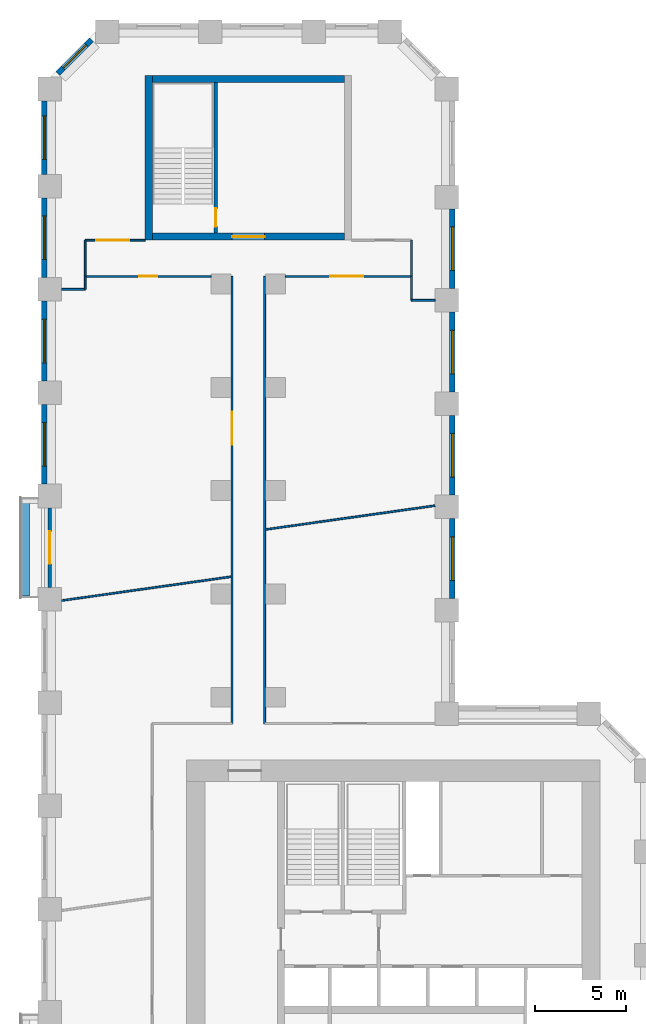
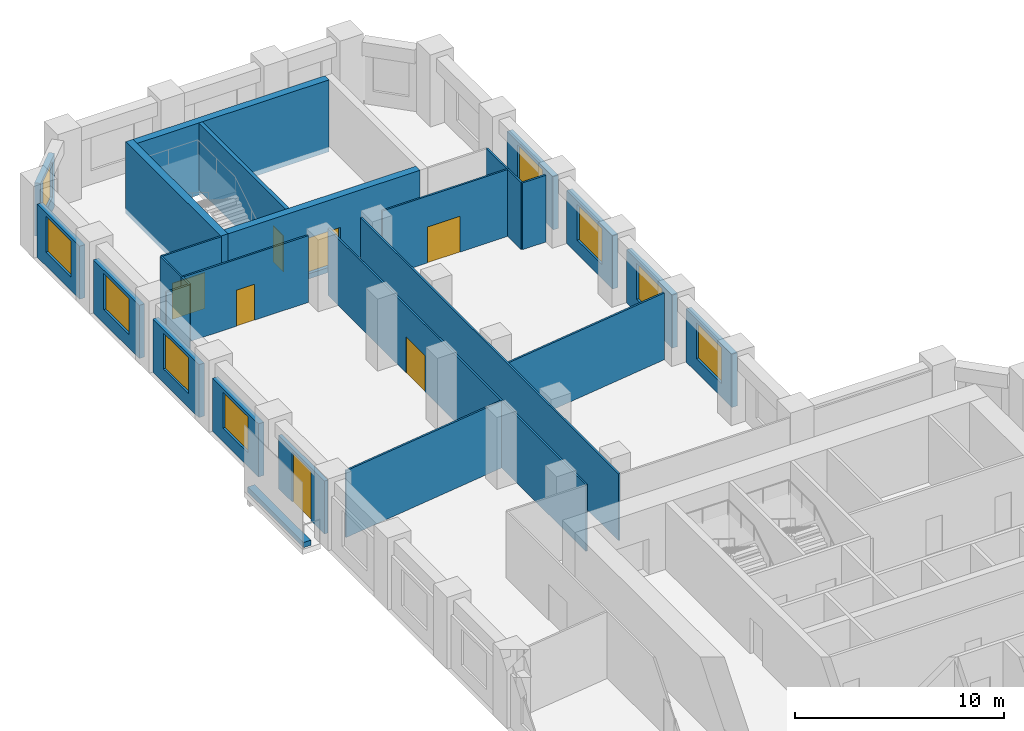
# One storey, part 8 of 11: 28 walls, 9 windows, 7 doors, 16 openings.
"""IFC4 building model written with IfcOpenShell, lengths in metres."""

from ifc_helpers import new_model, si_unit, direction, frame, frame_2d, origin, place, context, subcontext, project, spatial, rectangle, extrude, material, layer, layer_set, type_object, element, fill, save


model = new_model("IFC4")

# Units and contexts
model_context = context("Model", 3, precision=1e-05, world=origin(), true_north=direction((0.0, 1.0)))
body_context = subcontext(model_context, "Body", "Model", "MODEL_VIEW")
ifc_project = project(units=[si_unit("LENGTHUNIT", "METRE"), si_unit("AREAUNIT", "SQUARE_METRE"), si_unit("VOLUMEUNIT", "CUBIC_METRE"), si_unit("PLANEANGLEUNIT", "RADIAN"), si_unit("MASSUNIT", "GRAM", prefix="KILO")], contexts=[model_context])

# Site, building, storey
site_placement = place(None, origin())
site = spatial("IfcSite", under=ifc_project, at=site_placement, CompositionType="ELEMENT")
building_placement = place(site_placement, origin())
building = spatial("IfcBuilding", under=site, at=building_placement, Name="Meshkara Civic Tower", CompositionType="ELEMENT")
storey_placement = place(building_placement, frame((0.0, 0.0, 101.39990234375)))
storey = spatial("IfcBuildingStorey", under=building, at=storey_placement, Name="L22", CompositionType="ELEMENT", Elevation=101.39990234375)

# Wall, opening, door
ifc_material_1 = material(Name="Corridor wall 100")
ifc_layer_1 = layer(ifc_material_1, 0.10009765625)
ifc_layer_set_1 = layer_set([ifc_layer_1], Name="Corridor wall 100")
wall_type_1 = type_object("IfcWallType", Name="Corridor wall 100", PredefinedType="PARTITIONING", material=ifc_layer_set_1)
wall_1_placement = place(storey_placement, frame((2.39990234375, 63.570068359375, 0.0), z_axis=(0.0, 0.0, 1.0), x_axis=(1.0, 0.0, 0.0)))
wall_1 = element("IfcWall", 1, at=wall_1_placement, inside=storey, type_object=wall_type_1, Name="L22-W001", PredefinedType="PARTITIONING", context=body_context, shape_type="SweptSolid", body=[
    extrude(rectangle(XDim=6.9501953125, YDim=0.10009765625, at=frame_2d((3.47509765625, 0.0))), origin(), (0.0, 0.0, 1.0), 3.900146484375),
])
opening_1_placement = place(wall_1_placement, frame((2.97998046875, 0.0, 0.0)))
opening_1 = element("IfcOpeningElement", 2, at=opening_1_placement, cuts=wall_1, Name="Opening L22-D024", PredefinedType="OPENING", context=body_context, shape_type="SweptSolid", body=[
    extrude(rectangle(XDim=1.0, YDim=2.10009765625, at=frame_2d((0.5, 1.050048828125))), frame((0.0, 0.06005859375, 0.0), z_axis=(0.0, -1.0, 0.0), x_axis=(1.0, 0.0, 0.0)), (0.0, 0.0, 1.0), 0.1201171875),
])
ifc_material_2 = material(Name="Door 1000 x 2100")
door_type_1 = type_object("IfcDoorType", Name="Door 1000 x 2100", OperationType="SINGLE_SWING_LEFT", PredefinedType="DOOR", material=ifc_material_2)
door_1_placement = place(opening_1_placement, origin())
door_1 = element("IfcDoor", 3, at=door_1_placement, inside=storey, type_object=door_type_1, Name="L22-D024", OperationType="SINGLE_SWING_LEFT", OverallHeight=2.10009765625, OverallWidth=1.0, PredefinedType="DOOR", context=body_context, shape_type="SweptSolid", body=[
    extrude(rectangle(XDim=1.0, YDim=2.10009765625, at=frame_2d((0.5, 1.050048828125))), frame((0.0, 0.02490234375, 0.0), z_axis=(0.0, -1.0, 0.0), x_axis=(1.0, 0.0, 0.0)), (0.0, 0.0, 1.0), 0.050048828125),
])
fill(opening_1, door_1)

# Wall
wall_2_placement = place(storey_placement, frame((2.39990234375, 65.570068359375, 0.0), z_axis=(0.0, 0.0, 1.0), x_axis=(0.0, -1.0, 0.0)))
element("IfcWall", 4, at=wall_2_placement, inside=storey, type_object=wall_type_1, Name="L22-W002", PredefinedType="PARTITIONING", context=body_context, shape_type="SweptSolid", body=[
    extrude(rectangle(XDim=2.0, YDim=0.10009765625, at=frame_2d((1.0, 0.0))), origin(), (0.0, 0.0, 1.0), 3.900146484375),
])

# Wall, opening, door
wall_3_placement = place(storey_placement, frame((5.699951171875, 65.570068359375, 0.0), z_axis=(0.0, 0.0, 1.0), x_axis=(-1.0, 0.0, 0.0)))
wall_3 = element("IfcWall", 5, at=wall_3_placement, inside=storey, type_object=wall_type_1, Name="L22-W003", PredefinedType="PARTITIONING", context=body_context, shape_type="SweptSolid", body=[
    extrude(rectangle(XDim=3.300048828125, YDim=0.10009765625, at=frame_2d((1.64990234375, 0.0))), origin(), (0.0, 0.0, 1.0), 3.900146484375),
])
opening_2_placement = place(wall_3_placement, frame((0.8798828125, 0.0, 0.0)))
opening_2 = element("IfcOpeningElement", 6, at=opening_2_placement, cuts=wall_3, Name="Opening L22-D023", PredefinedType="OPENING", context=body_context, shape_type="SweptSolid", body=[
    extrude(rectangle(XDim=1.800048828125, YDim=2.10009765625, at=frame_2d((0.89990234375, 1.050048828125))), frame((0.0, 0.06005859375, 0.0), z_axis=(0.0, -1.0, 0.0), x_axis=(1.0, 0.0, 0.0)), (0.0, 0.0, 1.0), 0.1201171875),
])
ifc_material_3 = material(Name="Door pair 1800 x 2100")
door_type_2 = type_object("IfcDoorType", Name="Door pair 1800 x 2100", OperationType="SINGLE_SWING_LEFT", PredefinedType="DOOR", material=ifc_material_3)
door_2_placement = place(opening_2_placement, origin())
door_2 = element("IfcDoor", 7, at=door_2_placement, inside=storey, type_object=door_type_2, Name="L22-D023", OperationType="DOUBLE_DOOR_SINGLE_SWING", OverallHeight=2.10009765625, OverallWidth=1.800048828125, PredefinedType="DOOR", context=body_context, shape_type="SweptSolid", body=[
    extrude(rectangle(XDim=1.800048828125, YDim=2.10009765625, at=frame_2d((0.89990234375, 1.050048828125))), frame((0.0, 0.02490234375, 0.0), z_axis=(0.0, -1.0, 0.0), x_axis=(1.0, 0.0, 0.0)), (0.0, 0.0, 1.0), 0.050048828125),
])
fill(opening_2, door_2)

wall_4_placement = place(storey_placement, frame((10.5, 63.570068359375, 0.0), z_axis=(0.0, 0.0, 1.0), x_axis=(0.0, -1.0, 0.0)))
wall_4 = element("IfcWall", 8, at=wall_4_placement, inside=storey, type_object=wall_type_1, Name="L22-W012", PredefinedType="PARTITIONING", context=body_context, shape_type="SweptSolid", body=[
    extrude(rectangle(XDim=24.670166015625, YDim=0.10009765625, at=frame_2d((12.3349609375, 0.0))), origin(), (0.0, 0.0, 1.0), 3.900146484375),
])
opening_3_placement = place(wall_4_placement, frame((7.47998046875, 0.0, 0.0)))
opening_3 = element("IfcOpeningElement", 9, at=opening_3_placement, cuts=wall_4, Name="Opening L22-D022", PredefinedType="OPENING", context=body_context, shape_type="SweptSolid", body=[
    extrude(rectangle(XDim=1.800048828125, YDim=2.10009765625, at=frame_2d((0.89990234375, 1.050048828125))), frame((0.0, 0.06005859375, 0.0), z_axis=(0.0, -1.0, 0.0), x_axis=(1.0, 0.0, 0.0)), (0.0, 0.0, 1.0), 0.1201171875),
])
door_3_placement = place(opening_3_placement, origin())
door_3 = element("IfcDoor", 10, at=door_3_placement, inside=storey, type_object=door_type_2, Name="L22-D022", OperationType="DOUBLE_DOOR_SINGLE_SWING", OverallHeight=2.10009765625, OverallWidth=1.800048828125, PredefinedType="DOOR", context=body_context, shape_type="SweptSolid", body=[
    extrude(rectangle(XDim=1.800048828125, YDim=2.10009765625, at=frame_2d((0.89990234375, 1.050048828125))), frame((0.0, 0.02490234375, 0.0), z_axis=(0.0, -1.0, 0.0), x_axis=(1.0, 0.0, 0.0)), (0.0, 0.0, 1.0), 0.050048828125),
])
fill(opening_3, door_3)

# Wall
wall_5_placement = place(storey_placement, frame((12.300048828125, 63.570068359375, 0.0), z_axis=(0.0, 0.0, 1.0), x_axis=(0.0, -1.0, 0.0)))
element("IfcWall", 11, at=wall_5_placement, inside=storey, type_object=wall_type_1, Name="L22-W013", PredefinedType="PARTITIONING", context=body_context, shape_type="SweptSolid", body=[
    extrude(rectangle(XDim=24.670166015625, YDim=0.10009765625, at=frame_2d((12.3349609375, 0.0))), origin(), (0.0, 0.0, 1.0), 3.900146484375),
])

# Wall, opening, door
wall_6_placement = place(storey_placement, frame((13.449951171875, 63.570068359375, 0.0), z_axis=(0.0, 0.0, 1.0), x_axis=(1.0, 0.0, 0.0)))
wall_6 = element("IfcWall", 12, at=wall_6_placement, inside=storey, type_object=wall_type_1, Name="L22-W015", PredefinedType="PARTITIONING", context=body_context, shape_type="SweptSolid", body=[
    extrude(rectangle(XDim=6.949951171875, YDim=0.10009765625, at=frame_2d((3.47509765625, 0.0))), origin(), (0.0, 0.0, 1.0), 3.900146484375),
])
opening_4_placement = place(wall_6_placement, frame((2.47998046875, 0.0, 0.0)))
opening_4 = element("IfcOpeningElement", 13, at=opening_4_placement, cuts=wall_6, Name="Opening L22-D025", PredefinedType="OPENING", context=body_context, shape_type="SweptSolid", body=[
    extrude(rectangle(XDim=1.800048828125, YDim=2.10009765625, at=frame_2d((0.89990234375, 1.050048828125))), frame((0.0, 0.06005859375, 0.0), z_axis=(0.0, -1.0, 0.0), x_axis=(1.0, 0.0, 0.0)), (0.0, 0.0, 1.0), 0.1201171875),
])
door_4_placement = place(opening_4_placement, origin())
door_4 = element("IfcDoor", 14, at=door_4_placement, inside=storey, type_object=door_type_2, Name="L22-D025", OperationType="DOUBLE_DOOR_SINGLE_SWING", OverallHeight=2.10009765625, OverallWidth=1.800048828125, PredefinedType="DOOR", context=body_context, shape_type="SweptSolid", body=[
    extrude(rectangle(XDim=1.800048828125, YDim=2.10009765625, at=frame_2d((0.89990234375, 1.050048828125))), frame((0.0, 0.02490234375, 0.0), z_axis=(0.0, -1.0, 0.0), x_axis=(1.0, 0.0, 0.0)), (0.0, 0.0, 1.0), 0.050048828125),
])
fill(opening_4, door_4)

# Wall
wall_7_placement = place(storey_placement, frame((20.39990234375, 63.570068359375, 0.0), z_axis=(0.0, 0.0, 1.0), x_axis=(0.0, 1.0, 0.0)))
element("IfcWall", 15, at=wall_7_placement, inside=storey, type_object=wall_type_1, Name="L22-W016", PredefinedType="PARTITIONING", context=body_context, shape_type="SweptSolid", body=[
    extrude(rectangle(XDim=2.0, YDim=0.10009765625, at=frame_2d((1.0, 0.0))), origin(), (0.0, 0.0, 1.0), 3.900146484375),
])

# Wall, opening, window
ifc_material_4 = material(Name="Insulated infill panel with bronze anodised aluminium cladding", Category="aluminium")
ifc_layer_2 = layer(ifc_material_4, 0.300048828125)
ifc_layer_set_2 = layer_set([ifc_layer_2], Name="EXTERNAL INFILL WALL 300")
wall_type_2 = type_object("IfcWallType", Name="EXTERNAL INFILL WALL 300", PredefinedType="SOLIDWALL", material=ifc_layer_set_2)
wall_8_placement = place(storey_placement, frame((22.64990234375, 45.800048828125, 0.0), z_axis=(0.0, 0.0, 1.0), x_axis=(0.0, 1.0, 0.0)))
wall_8 = element("IfcWall", 16, at=wall_8_placement, inside=storey, type_object=wall_type_2, Name="External wall", PredefinedType="SOLIDWALL", context=body_context, shape_type="SweptSolid", body=[
    extrude(rectangle(XDim=4.39990234375, YDim=0.300048828125, at=frame_2d((2.199951171875, 0.0))), origin(), (0.0, 0.0, 1.0), 3.10009765625),
])
opening_5_placement = place(wall_8_placement, frame((1.0, 0.0, 0.800048828125)))
opening_5 = element("IfcOpeningElement", 17, at=opening_5_placement, cuts=wall_8, Name="Opening W7", PredefinedType="OPENING", context=body_context, shape_type="SweptSolid", body=[
    extrude(rectangle(XDim=2.39990234375, YDim=2.10009765625, at=frame_2d((1.199951171875, 1.050048828125))), frame((0.0, 0.159912109375, 0.0), z_axis=(0.0, -1.0, 0.0), x_axis=(1.0, 0.0, 0.0)), (0.0, 0.0, 1.0), 0.320068359375),
])
ifc_material_5 = material(Name="Tinted double glazing", Category="glass")
window_type_1 = type_object("IfcWindowType", Name="WINDOW 2400x2100", PartitioningType="DOUBLE_PANEL_VERTICAL", PredefinedType="WINDOW", material=ifc_material_5)
window_1_placement = place(opening_5_placement, origin())
window_1 = element("IfcWindow", 18, at=window_1_placement, inside=storey, type_object=window_type_1, Name="Window", OverallHeight=2.10009765625, OverallWidth=2.39990234375, PartitioningType="DOUBLE_PANEL_VERTICAL", PredefinedType="WINDOW", context=body_context, shape_type="SweptSolid", body=[
    extrude(rectangle(XDim=2.39990234375, YDim=2.10009765625, at=frame_2d((1.199951171875, 1.050048828125))), frame((0.0, 0.030029296875, 0.0), z_axis=(0.0, -1.0, 0.0), x_axis=(1.0, 0.0, 0.0)), (0.0, 0.0, 1.0), 0.06005859375),
])
fill(opening_5, window_1)

wall_9_placement = place(storey_placement, frame((22.64990234375, 51.5, 0.0), z_axis=(0.0, 0.0, 1.0), x_axis=(0.0, 1.0, 0.0)))
wall_9 = element("IfcWall", 19, at=wall_9_placement, inside=storey, type_object=wall_type_2, Name="External wall", PredefinedType="SOLIDWALL", context=body_context, shape_type="SweptSolid", body=[
    extrude(rectangle(XDim=4.39990234375, YDim=0.300048828125, at=frame_2d((2.199951171875, 0.0))), origin(), (0.0, 0.0, 1.0), 3.10009765625),
])
opening_6_placement = place(wall_9_placement, frame((1.0, 0.0, 0.800048828125)))
opening_6 = element("IfcOpeningElement", 20, at=opening_6_placement, cuts=wall_9, Name="Opening W7", PredefinedType="OPENING", context=body_context, shape_type="SweptSolid", body=[
    extrude(rectangle(XDim=2.39990234375, YDim=2.10009765625, at=frame_2d((1.199951171875, 1.050048828125))), frame((0.0, 0.159912109375, 0.0), z_axis=(0.0, -1.0, 0.0), x_axis=(1.0, 0.0, 0.0)), (0.0, 0.0, 1.0), 0.320068359375),
])
window_2_placement = place(opening_6_placement, origin())
window_2 = element("IfcWindow", 21, at=window_2_placement, inside=storey, type_object=window_type_1, Name="Window", OverallHeight=2.10009765625, OverallWidth=2.39990234375, PartitioningType="DOUBLE_PANEL_VERTICAL", PredefinedType="WINDOW", context=body_context, shape_type="SweptSolid", body=[
    extrude(rectangle(XDim=2.39990234375, YDim=2.10009765625, at=frame_2d((1.199951171875, 1.050048828125))), frame((0.0, 0.030029296875, 0.0), z_axis=(0.0, -1.0, 0.0), x_axis=(1.0, 0.0, 0.0)), (0.0, 0.0, 1.0), 0.06005859375),
])
fill(opening_6, window_2)

wall_10_placement = place(storey_placement, frame((22.64990234375, 57.199951171875, 0.0), z_axis=(0.0, 0.0, 1.0), x_axis=(0.0, 1.0, 0.0)))
wall_10 = element("IfcWall", 22, at=wall_10_placement, inside=storey, type_object=wall_type_2, Name="External wall", PredefinedType="SOLIDWALL", context=body_context, shape_type="SweptSolid", body=[
    extrude(rectangle(XDim=4.400146484375, YDim=0.300048828125, at=frame_2d((2.2001953125, 0.0))), origin(), (0.0, 0.0, 1.0), 3.10009765625),
])
opening_7_placement = place(wall_10_placement, frame((1.0, 0.0, 0.800048828125)))
opening_7 = element("IfcOpeningElement", 23, at=opening_7_placement, cuts=wall_10, Name="Opening W7", PredefinedType="OPENING", context=body_context, shape_type="SweptSolid", body=[
    extrude(rectangle(XDim=2.39990234375, YDim=2.10009765625, at=frame_2d((1.199951171875, 1.050048828125))), frame((0.0, 0.159912109375, 0.0), z_axis=(0.0, -1.0, 0.0), x_axis=(1.0, 0.0, 0.0)), (0.0, 0.0, 1.0), 0.320068359375),
])
window_3_placement = place(opening_7_placement, origin())
window_3 = element("IfcWindow", 24, at=window_3_placement, inside=storey, type_object=window_type_1, Name="Window", OverallHeight=2.10009765625, OverallWidth=2.39990234375, PartitioningType="DOUBLE_PANEL_VERTICAL", PredefinedType="WINDOW", context=body_context, shape_type="SweptSolid", body=[
    extrude(rectangle(XDim=2.39990234375, YDim=2.10009765625, at=frame_2d((1.199951171875, 1.050048828125))), frame((0.0, 0.030029296875, 0.0), z_axis=(0.0, -1.0, 0.0), x_axis=(1.0, 0.0, 0.0)), (0.0, 0.0, 1.0), 0.06005859375),
])
fill(opening_7, window_3)

wall_11_placement = place(storey_placement, frame((22.64990234375, 62.89990234375, 0.0), z_axis=(0.0, 0.0, 1.0), x_axis=(0.0, 1.0, 0.0)))
wall_11 = element("IfcWall", 25, at=wall_11_placement, inside=storey, type_object=wall_type_2, Name="External wall", PredefinedType="SOLIDWALL", context=body_context, shape_type="SweptSolid", body=[
    extrude(rectangle(XDim=4.400146484375, YDim=0.300048828125, at=frame_2d((2.2001953125, 0.0))), origin(), (0.0, 0.0, 1.0), 3.10009765625),
])
opening_8_placement = place(wall_11_placement, frame((1.0, 0.0, 0.800048828125)))
opening_8 = element("IfcOpeningElement", 26, at=opening_8_placement, cuts=wall_11, Name="Opening W7", PredefinedType="OPENING", context=body_context, shape_type="SweptSolid", body=[
    extrude(rectangle(XDim=2.39990234375, YDim=2.10009765625, at=frame_2d((1.199951171875, 1.050048828125))), frame((0.0, 0.159912109375, 0.0), z_axis=(0.0, -1.0, 0.0), x_axis=(1.0, 0.0, 0.0)), (0.0, 0.0, 1.0), 0.320068359375),
])
window_4_placement = place(opening_8_placement, origin())
window_4 = element("IfcWindow", 27, at=window_4_placement, inside=storey, type_object=window_type_1, Name="Window", OverallHeight=2.10009765625, OverallWidth=2.39990234375, PartitioningType="DOUBLE_PANEL_VERTICAL", PredefinedType="WINDOW", context=body_context, shape_type="SweptSolid", body=[
    extrude(rectangle(XDim=2.39990234375, YDim=2.10009765625, at=frame_2d((1.199951171875, 1.050048828125))), frame((0.0, 0.030029296875, 0.0), z_axis=(0.0, -1.0, 0.0), x_axis=(1.0, 0.0, 0.0)), (0.0, 0.0, 1.0), 0.06005859375),
])
fill(opening_8, window_4)

wall_12_placement = place(storey_placement, frame((2.743896484375, 76.632080078125, 0.0), z_axis=(0.0, 0.0, 1.0), x_axis=(-0.707060274772, -0.707153284542, 0.0)))
wall_12 = element("IfcWall", 28, at=wall_12_placement, inside=storey, type_object=wall_type_2, Name="External wall", PredefinedType="SOLIDWALL", context=body_context, shape_type="SweptSolid", body=[
    extrude(rectangle(XDim=2.625, YDim=0.300048828125, at=frame_2d((1.3125, 0.0))), origin(), (0.0, 0.0, 1.0), 3.10009765625),
])
opening_9_placement = place(wall_12_placement, frame((0.412109375, 0.0, 0.800048828125)))
opening_9 = element("IfcOpeningElement", 29, at=opening_9_placement, cuts=wall_12, Name="Opening W9", PredefinedType="OPENING", context=body_context, shape_type="SweptSolid", body=[
    extrude(rectangle(XDim=1.800048828125, YDim=2.10009765625, at=frame_2d((0.89990234375, 1.050048828125))), frame((0.0, 0.159912109375, 0.0), z_axis=(0.0, -1.0, 0.0), x_axis=(1.0, 0.0, 0.0)), (0.0, 0.0, 1.0), 0.320068359375),
])
ifc_material_6 = material(Name="Tinted double glazing", Category="glass")
window_type_2 = type_object("IfcWindowType", Name="WINDOW 1800x2100", PartitioningType="DOUBLE_PANEL_VERTICAL", PredefinedType="WINDOW", material=ifc_material_6)
window_5_placement = place(opening_9_placement, origin())
window_5 = element("IfcWindow", 30, at=window_5_placement, inside=storey, type_object=window_type_2, Name="Window", OverallHeight=2.10009765625, OverallWidth=1.800048828125, PartitioningType="DOUBLE_PANEL_VERTICAL", PredefinedType="WINDOW", context=body_context, shape_type="SweptSolid", body=[
    extrude(rectangle(XDim=1.800048828125, YDim=2.10009765625, at=frame_2d((0.89990234375, 1.050048828125))), frame((0.0, 0.030029296875, 0.0), z_axis=(0.0, -1.0, 0.0), x_axis=(1.0, 0.0, 0.0)), (0.0, 0.0, 1.0), 0.06005859375),
])
fill(opening_9, window_5)

wall_13_placement = place(storey_placement, frame((0.14990234375, 73.263916015625, 0.0), z_axis=(0.0, 0.0, 1.0), x_axis=(0.0, -1.0, 0.0)))
wall_13 = element("IfcWall", 31, at=wall_13_placement, inside=storey, type_object=wall_type_2, Name="External wall", PredefinedType="SOLIDWALL", context=body_context, shape_type="SweptSolid", body=[
    extrude(rectangle(XDim=4.058837890625, YDim=0.300048828125, at=frame_2d((2.029296875, 0.0))), origin(), (0.0, 0.0, 1.0), 3.10009765625),
])
opening_10_placement = place(wall_13_placement, frame((0.8291015625, 0.0, 0.800048828125)))
opening_10 = element("IfcOpeningElement", 32, at=opening_10_placement, cuts=wall_13, Name="Opening W7", PredefinedType="OPENING", context=body_context, shape_type="SweptSolid", body=[
    extrude(rectangle(XDim=2.39990234375, YDim=2.10009765625, at=frame_2d((1.199951171875, 1.050048828125))), frame((0.0, 0.159912109375, 0.0), z_axis=(0.0, -1.0, 0.0), x_axis=(1.0, 0.0, 0.0)), (0.0, 0.0, 1.0), 0.320068359375),
])
window_6_placement = place(opening_10_placement, origin())
window_6 = element("IfcWindow", 33, at=window_6_placement, inside=storey, type_object=window_type_1, Name="Window", OverallHeight=2.10009765625, OverallWidth=2.39990234375, PartitioningType="DOUBLE_PANEL_VERTICAL", PredefinedType="WINDOW", context=body_context, shape_type="SweptSolid", body=[
    extrude(rectangle(XDim=2.39990234375, YDim=2.10009765625, at=frame_2d((1.199951171875, 1.050048828125))), frame((0.0, 0.030029296875, 0.0), z_axis=(0.0, -1.0, 0.0), x_axis=(1.0, 0.0, 0.0)), (0.0, 0.0, 1.0), 0.06005859375),
])
fill(opening_10, window_6)

wall_14_placement = place(storey_placement, frame((0.14990234375, 67.905029296875, 0.0), z_axis=(0.0, 0.0, 1.0), x_axis=(0.0, -1.0, 0.0)))
wall_14 = element("IfcWall", 34, at=wall_14_placement, inside=storey, type_object=wall_type_2, Name="External wall", PredefinedType="SOLIDWALL", context=body_context, shape_type="SweptSolid", body=[
    extrude(rectangle(XDim=4.400146484375, YDim=0.300048828125, at=frame_2d((2.2001953125, 0.0))), origin(), (0.0, 0.0, 1.0), 3.10009765625),
])
opening_11_placement = place(wall_14_placement, frame((1.0, 0.0, 0.800048828125)))
opening_11 = element("IfcOpeningElement", 35, at=opening_11_placement, cuts=wall_14, Name="Opening W7", PredefinedType="OPENING", context=body_context, shape_type="SweptSolid", body=[
    extrude(rectangle(XDim=2.39990234375, YDim=2.10009765625, at=frame_2d((1.199951171875, 1.050048828125))), frame((0.0, 0.159912109375, 0.0), z_axis=(0.0, -1.0, 0.0), x_axis=(1.0, 0.0, 0.0)), (0.0, 0.0, 1.0), 0.320068359375),
])
window_7_placement = place(opening_11_placement, origin())
window_7 = element("IfcWindow", 36, at=window_7_placement, inside=storey, type_object=window_type_1, Name="Window", OverallHeight=2.10009765625, OverallWidth=2.39990234375, PartitioningType="DOUBLE_PANEL_VERTICAL", PredefinedType="WINDOW", context=body_context, shape_type="SweptSolid", body=[
    extrude(rectangle(XDim=2.39990234375, YDim=2.10009765625, at=frame_2d((1.199951171875, 1.050048828125))), frame((0.0, 0.030029296875, 0.0), z_axis=(0.0, -1.0, 0.0), x_axis=(1.0, 0.0, 0.0)), (0.0, 0.0, 1.0), 0.06005859375),
])
fill(opening_11, window_7)

wall_15_placement = place(storey_placement, frame((0.14990234375, 62.205078125, 0.0), z_axis=(0.0, 0.0, 1.0), x_axis=(0.0, -1.0, 0.0)))
wall_15 = element("IfcWall", 37, at=wall_15_placement, inside=storey, type_object=wall_type_2, Name="External wall", PredefinedType="SOLIDWALL", context=body_context, shape_type="SweptSolid", body=[
    extrude(rectangle(XDim=4.400146484375, YDim=0.300048828125, at=frame_2d((2.2001953125, 0.0))), origin(), (0.0, 0.0, 1.0), 3.10009765625),
])
opening_12_placement = place(wall_15_placement, frame((1.0, 0.0, 0.800048828125)))
opening_12 = element("IfcOpeningElement", 38, at=opening_12_placement, cuts=wall_15, Name="Opening W7", PredefinedType="OPENING", context=body_context, shape_type="SweptSolid", body=[
    extrude(rectangle(XDim=2.39990234375, YDim=2.10009765625, at=frame_2d((1.199951171875, 1.050048828125))), frame((0.0, 0.159912109375, 0.0), z_axis=(0.0, -1.0, 0.0), x_axis=(1.0, 0.0, 0.0)), (0.0, 0.0, 1.0), 0.320068359375),
])
window_8_placement = place(opening_12_placement, origin())
window_8 = element("IfcWindow", 39, at=window_8_placement, inside=storey, type_object=window_type_1, Name="Window", OverallHeight=2.10009765625, OverallWidth=2.39990234375, PartitioningType="DOUBLE_PANEL_VERTICAL", PredefinedType="WINDOW", context=body_context, shape_type="SweptSolid", body=[
    extrude(rectangle(XDim=2.39990234375, YDim=2.10009765625, at=frame_2d((1.199951171875, 1.050048828125))), frame((0.0, 0.030029296875, 0.0), z_axis=(0.0, -1.0, 0.0), x_axis=(1.0, 0.0, 0.0)), (0.0, 0.0, 1.0), 0.06005859375),
])
fill(opening_12, window_8)

wall_16_placement = place(storey_placement, frame((0.14990234375, 56.5048828125, 0.0), z_axis=(0.0, 0.0, 1.0), x_axis=(0.0, -1.0, 0.0)))
wall_16 = element("IfcWall", 40, at=wall_16_placement, inside=storey, type_object=wall_type_2, Name="External wall", PredefinedType="SOLIDWALL", context=body_context, shape_type="SweptSolid", body=[
    extrude(rectangle(XDim=4.39990234375, YDim=0.300048828125, at=frame_2d((2.199951171875, 0.0))), origin(), (0.0, 0.0, 1.0), 3.10009765625),
])
opening_13_placement = place(wall_16_placement, frame((1.0, 0.0, 0.800048828125)))
opening_13 = element("IfcOpeningElement", 41, at=opening_13_placement, cuts=wall_16, Name="Opening W7", PredefinedType="OPENING", context=body_context, shape_type="SweptSolid", body=[
    extrude(rectangle(XDim=2.39990234375, YDim=2.10009765625, at=frame_2d((1.199951171875, 1.050048828125))), frame((0.0, 0.159912109375, 0.0), z_axis=(0.0, -1.0, 0.0), x_axis=(1.0, 0.0, 0.0)), (0.0, 0.0, 1.0), 0.320068359375),
])
window_9_placement = place(opening_13_placement, origin())
window_9 = element("IfcWindow", 42, at=window_9_placement, inside=storey, type_object=window_type_1, Name="Window", OverallHeight=2.10009765625, OverallWidth=2.39990234375, PartitioningType="DOUBLE_PANEL_VERTICAL", PredefinedType="WINDOW", context=body_context, shape_type="SweptSolid", body=[
    extrude(rectangle(XDim=2.39990234375, YDim=2.10009765625, at=frame_2d((1.199951171875, 1.050048828125))), frame((0.0, 0.030029296875, 0.0), z_axis=(0.0, -1.0, 0.0), x_axis=(1.0, 0.0, 0.0)), (0.0, 0.0, 1.0), 0.06005859375),
])
fill(opening_13, window_9)

# Wall
ifc_material_7 = material(Name="Concrete C70", Category="concrete")
ifc_layer_3 = layer(ifc_material_7, 0.39990234375)
ifc_layer_set_3 = layer_set([ifc_layer_3], Name="End core ring wall 400 C70")
wall_type_3 = type_object("IfcWallType", Name="End core ring wall 400 C70", PredefinedType="SHEAR", material=ifc_layer_set_3)
wall_17_placement = place(storey_placement, frame((5.89990234375, 65.570068359375, -0.2998046875), z_axis=(0.0, 0.0, 1.0), x_axis=(0.0, 1.0, 0.0)))
element("IfcWall", 43, at=wall_17_placement, inside=storey, type_object=wall_type_3, Name="L22-C026", PredefinedType="SHEAR", context=body_context, shape_type="SweptSolid", body=[
    extrude(rectangle(XDim=9.099853515625, YDim=0.39990234375, at=frame_2d((4.5498046875, 0.0))), origin(), (0.0, 0.0, 1.0), 4.199951171875),
])

# Wall, opening, door
wall_18_placement = place(storey_placement, frame((6.10009765625, 65.77001953125, -0.2998046875), z_axis=(0.0, 0.0, 1.0), x_axis=(1.0, 0.0, 0.0)))
wall_18 = element("IfcWall", 44, at=wall_18_placement, inside=storey, type_object=wall_type_3, Name="L22-C028", PredefinedType="SHEAR", context=body_context, shape_type="SweptSolid", body=[
    extrude(rectangle(XDim=10.599853515625, YDim=0.39990234375, at=frame_2d((5.2998046875, 0.0))), origin(), (0.0, 0.0, 1.0), 4.199951171875),
])
opening_14_placement = place(wall_18_placement, frame((4.39990234375, 0.0, 0.300048828125)))
opening_14 = element("IfcOpeningElement", 45, at=opening_14_placement, cuts=wall_18, Name="Opening L22-K102", PredefinedType="OPENING", context=body_context, shape_type="SweptSolid", body=[
    extrude(rectangle(XDim=1.800048828125, YDim=2.10009765625, at=frame_2d((0.89990234375, 1.050048828125))), frame((0.0, 0.2099609375, 0.0), z_axis=(0.0, -1.0, 0.0), x_axis=(1.0, 0.0, 0.0)), (0.0, 0.0, 1.0), 0.419921875),
])
ifc_material_8 = material(Name="Fire-rated door leaf in steel frame", Category="steel")
door_type_3 = type_object("IfcDoorType", Name="Core double door 1800 EI 60", OperationType="DOUBLE_DOOR_SINGLE_SWING", PredefinedType="DOOR", material=ifc_material_8)
door_5_placement = place(opening_14_placement, origin())
door_5 = element("IfcDoor", 46, at=door_5_placement, inside=storey, type_object=door_type_3, Name="L22-K102", OperationType="DOUBLE_DOOR_SINGLE_SWING", OverallHeight=2.10009765625, OverallWidth=1.800048828125, PredefinedType="DOOR", context=body_context, shape_type="SweptSolid", body=[
    extrude(rectangle(XDim=1.800048828125, YDim=2.10009765625, at=frame_2d((0.89990234375, 1.050048828125))), frame((0.0, 0.02490234375, 0.0), z_axis=(0.0, -1.0, 0.0), x_axis=(1.0, 0.0, 0.0)), (0.0, 0.0, 1.0), 0.050048828125),
])
fill(opening_14, door_5)

# Wall
wall_19_placement = place(storey_placement, frame((6.10009765625, 74.469970703125, -0.2998046875), z_axis=(0.0, 0.0, 1.0), x_axis=(1.0, 0.0, 0.0)))
element("IfcWall", 47, at=wall_19_placement, inside=storey, type_object=wall_type_3, Name="L22-C029", PredefinedType="SHEAR", context=body_context, shape_type="SweptSolid", body=[
    extrude(rectangle(XDim=10.599853515625, YDim=0.39990234375, at=frame_2d((5.2998046875, 0.0))), origin(), (0.0, 0.0, 1.0), 4.199951171875),
])

# Wall, opening, door
ifc_material_9 = material(Name="Insulated infill panel with bronze anodised aluminium cladding", Category="aluminium")
ifc_layer_4 = layer(ifc_material_9, 0.199951171875)
ifc_layer_set_4 = layer_set([ifc_layer_4], Name="LOGGIA BACK WALL 200")
wall_type_4 = type_object("IfcWallType", Name="LOGGIA BACK WALL 200", PredefinedType="SOLIDWALL", material=ifc_layer_set_4)
wall_20_placement = place(storey_placement, frame((0.449951171875, 50.804931640625, 0.0), z_axis=(0.0, 0.0, 1.0), x_axis=(0.0, -1.0, 0.0)))
wall_20 = element("IfcWall", 48, at=wall_20_placement, inside=storey, type_object=wall_type_4, Name="Loggia wall", PredefinedType="SOLIDWALL", context=body_context, shape_type="SweptSolid", body=[
    extrude(rectangle(XDim=4.39892578125, YDim=0.199951171875, at=frame_2d((2.199462890625, 0.0))), origin(), (0.0, 0.0, 1.0), 3.10009765625),
])
opening_15_placement = place(wall_20_placement, frame((1.300048828125, 0.0, 0.0)))
opening_15 = element("IfcOpeningElement", 49, at=opening_15_placement, cuts=wall_20, Name="Opening L22-L001", PredefinedType="OPENING", context=body_context, shape_type="SweptSolid", body=[
    extrude(rectangle(XDim=1.800048828125, YDim=2.89990234375, at=frame_2d((0.89990234375, 1.449951171875))), frame((0.0, 0.10986328125, 0.0), z_axis=(0.0, -1.0, 0.0), x_axis=(1.0, 0.0, 0.0)), (0.0, 0.0, 1.0), 0.219970703125),
])
ifc_material_10 = material(Name="Tinted double glazing", Category="glass")
door_type_4 = type_object("IfcDoorType", Name="LOGGIA DOOR 1800x2900", OperationType="DOUBLE_DOOR_SINGLE_SWING", PredefinedType="DOOR", material=ifc_material_10)
door_6_placement = place(opening_15_placement, origin())
door_6 = element("IfcDoor", 50, at=door_6_placement, inside=storey, type_object=door_type_4, Name="L22-L001", OperationType="DOUBLE_DOOR_SINGLE_SWING", OverallHeight=2.89990234375, OverallWidth=1.800048828125, PredefinedType="DOOR", context=body_context, shape_type="SweptSolid", body=[
    extrude(rectangle(XDim=1.800048828125, YDim=2.89990234375, at=frame_2d((0.89990234375, 1.449951171875))), frame((0.0, 0.02490234375, 0.0), z_axis=(0.0, -1.0, 0.0), x_axis=(1.0, 0.0, 0.0)), (0.0, 0.0, 1.0), 0.050048828125),
])
fill(opening_15, door_6)

# Walls
ifc_material_11 = material(Name="Concrete C40", Category="concrete")
ifc_layer_5 = layer(ifc_material_11, 0.39990234375)
ifc_layer_set_5 = layer_set([ifc_layer_5], Name="PLANTER TRAY")
wall_type_5 = type_object("IfcWallType", Name="PLANTER TRAY", PredefinedType="SOLIDWALL", material=ifc_layer_set_5)
wall_21_placement = place(storey_placement, frame((-0.8798828125, 51.284912109375, 0.0), z_axis=(0.0, 0.0, 1.0), x_axis=(0.0, -1.0, 0.0)))
element("IfcWall", 51, at=wall_21_placement, inside=storey, type_object=wall_type_5, Name="Planter", PredefinedType="SOLIDWALL", context=body_context, shape_type="SweptSolid", body=[
    extrude(rectangle(XDim=5.35986328125, YDim=0.39990234375, at=frame_2d((2.679931640625, 0.0))), origin(), (0.0, 0.0, 1.0), 0.300048828125),
])
ifc_material_12 = material(Name="Partition 100")
ifc_layer_6 = layer(ifc_material_12, 0.10009765625)
ifc_layer_set_6 = layer_set([ifc_layer_6], Name="Partition 100")
wall_type_6 = type_object("IfcWallType", Name="Partition 100", PredefinedType="PARTITIONING", material=ifc_layer_set_6)
wall_22_placement = place(storey_placement, frame((2.39990234375, 62.85498046875, 0.0), z_axis=(0.0, 0.0, 1.0), x_axis=(-1.0, 0.0, 0.0)))
element("IfcWall", 52, at=wall_22_placement, inside=storey, type_object=wall_type_6, Name="L22-W031", PredefinedType="PARTITIONING", context=body_context, shape_type="SweptSolid", body=[
    extrude(rectangle(XDim=1.2998046875, YDim=0.10009765625, at=frame_2d((0.64990234375, 0.0))), origin(), (0.0, 0.0, 1.0), 3.900146484375),
])
wall_23_placement = place(storey_placement, frame((2.39990234375, 63.573974609375, 0.0), z_axis=(0.0, 0.0, 1.0), x_axis=(0.0, -1.0, 0.0)))
element("IfcWall", 53, at=wall_23_placement, inside=storey, type_object=wall_type_6, Name="L22-W032", PredefinedType="PARTITIONING", context=body_context, shape_type="SweptSolid", body=[
    extrude(rectangle(XDim=0.718994140625, YDim=0.10009765625, at=frame_2d((0.359375, 0.0))), origin(), (0.0, 0.0, 1.0), 3.900146484375),
])
wall_24_placement = place(storey_placement, frame((10.443115234375, 46.998046875, 0.0), z_axis=(0.0, 0.0, 1.0), x_axis=(-0.990255073415, -0.139265536207, 0.0)))
element("IfcWall", 54, at=wall_24_placement, inside=storey, type_object=wall_type_6, Name="L22-W037", PredefinedType="PARTITIONING", context=body_context, shape_type="SweptSolid", body=[
    extrude(rectangle(XDim=9.43505859375, YDim=0.10009765625, at=frame_2d((4.717529296875, 0.0))), origin(), (0.0, 0.0, 1.0), 3.900146484375),
])
wall_25_placement = place(storey_placement, frame((20.39990234375, 62.25, 0.0), z_axis=(0.0, 0.0, 1.0), x_axis=(0.0, 1.0, 0.0)))
element("IfcWall", 55, at=wall_25_placement, inside=storey, type_object=wall_type_6, Name="L22-W040", PredefinedType="PARTITIONING", context=body_context, shape_type="SweptSolid", body=[
    extrude(rectangle(XDim=1.323974609375, YDim=0.10009765625, at=frame_2d((0.662109375, 0.0))), origin(), (0.0, 0.0, 1.0), 3.900146484375),
])
wall_26_placement = place(storey_placement, frame((21.699951171875, 50.9208984375, 0.0), z_axis=(0.0, 0.0, 1.0), x_axis=(-0.990255073415, -0.139265536207, 0.0)))
element("IfcWall", 56, at=wall_26_placement, inside=storey, type_object=wall_type_6, Name="L22-W041", PredefinedType="PARTITIONING", context=body_context, shape_type="SweptSolid", body=[
    extrude(rectangle(XDim=9.43505859375, YDim=0.10009765625, at=frame_2d((4.717529296875, 0.0))), origin(), (0.0, 0.0, 1.0), 3.900146484375),
])
wall_27_placement = place(storey_placement, frame((21.699951171875, 62.25, 0.0), z_axis=(0.0, 0.0, 1.0), x_axis=(-1.0, 0.0, 0.0)))
element("IfcWall", 57, at=wall_27_placement, inside=storey, type_object=wall_type_6, Name="L22-W042", PredefinedType="PARTITIONING", context=body_context, shape_type="SweptSolid", body=[
    extrude(rectangle(XDim=1.300048828125, YDim=0.10009765625, at=frame_2d((0.64990234375, 0.0))), origin(), (0.0, 0.0, 1.0), 3.900146484375),
])

# Wall, opening, door
ifc_material_13 = material(Name="Concrete C40/50", Category="concrete")
ifc_layer_7 = layer(ifc_material_13, 0.199951171875)
ifc_layer_set_7 = layer_set([ifc_layer_7], Name="Stair enclosure wall 200 C40/50")
wall_type_7 = type_object("IfcWallType", Name="Stair enclosure wall 200 C40/50", PredefinedType="SOLIDWALL", material=ifc_layer_set_7)
wall_28_placement = place(storey_placement, frame((9.60009765625, 65.969970703125, 0.0), z_axis=(0.0, 0.0, 1.0), x_axis=(0.0, 1.0, 0.0)))
wall_28 = element("IfcWall", 58, at=wall_28_placement, inside=storey, type_object=wall_type_7, Name="L22-C030", PredefinedType="SOLIDWALL", context=body_context, shape_type="SweptSolid", body=[
    extrude(rectangle(XDim=8.300048828125, YDim=0.199951171875, at=frame_2d((4.14990234375, 0.0))), origin(), (0.0, 0.0, 1.0), 3.900146484375),
])
opening_16_placement = place(wall_28_placement, frame((0.35009765625, 0.0, 0.0)))
opening_16 = element("IfcOpeningElement", 59, at=opening_16_placement, cuts=wall_28, Name="Opening L22-K101", PredefinedType="OPENING", context=body_context, shape_type="SweptSolid", body=[
    extrude(rectangle(XDim=1.0, YDim=2.10009765625, at=frame_2d((0.5, 1.050048828125))), frame((0.0, 0.10986328125, 0.0), z_axis=(0.0, -1.0, 0.0), x_axis=(1.0, 0.0, 0.0)), (0.0, 0.0, 1.0), 0.219970703125),
])
ifc_material_14 = material(Name="Fire-rated door leaf in steel frame", Category="steel")
door_type_5 = type_object("IfcDoorType", Name="Stair door 1000 EI 120", OperationType="SINGLE_SWING_LEFT", PredefinedType="DOOR", material=ifc_material_14)
door_7_placement = place(opening_16_placement, origin())
door_7 = element("IfcDoor", 60, at=door_7_placement, inside=storey, type_object=door_type_5, Name="L22-K101", OperationType="SINGLE_SWING_RIGHT", OverallHeight=2.10009765625, OverallWidth=1.0, PredefinedType="DOOR", context=body_context, shape_type="SweptSolid", body=[
    extrude(rectangle(XDim=1.0, YDim=2.10009765625, at=frame_2d((0.5, 1.050048828125))), frame((0.0, 0.02490234375, 0.0), z_axis=(0.0, -1.0, 0.0), x_axis=(1.0, 0.0, 0.0)), (0.0, 0.0, 1.0), 0.050048828125),
])
fill(opening_16, door_7)

save(model, "model.ifc")
